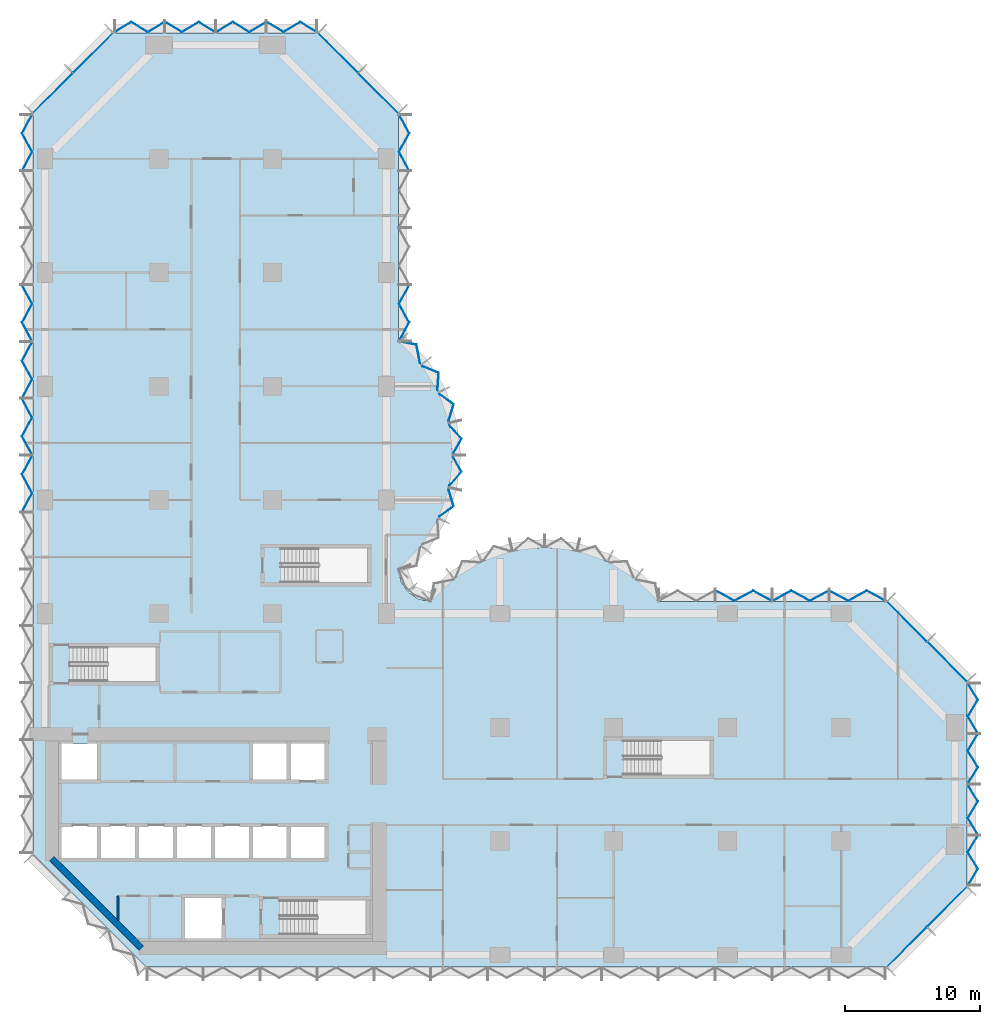
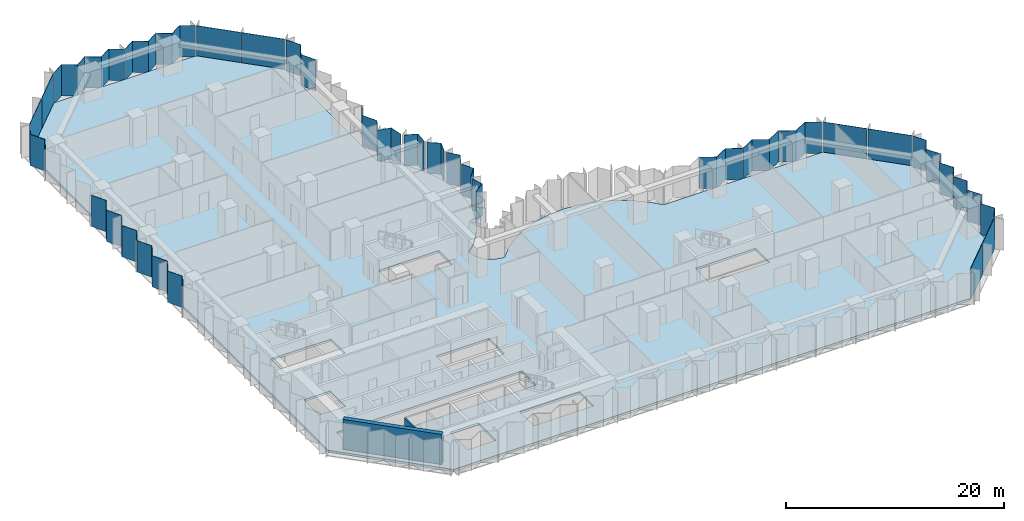
# One storey, part 6 of 15: 32 plates, 2 walls, 1 slab, 10 elements without a shape of their own.
"""IFC4 building model written with IfcOpenShell, lengths in metres."""

from ifc_helpers import new_model, si_unit, direction, frame, frame_2d, origin, place, context, subcontext, project, spatial, polyline, rectangle, outline, extrude, material, layer, layer_set, type_object, element, aggregate, save


model = new_model("IFC4")

# Units and contexts
model_context = context("Model", 3, precision=1e-05, world=origin(), true_north=direction((0.0, 1.0)))
body_context = subcontext(model_context, "Body", "Model", "MODEL_VIEW")
ifc_project = project(units=[si_unit("LENGTHUNIT", "METRE"), si_unit("AREAUNIT", "SQUARE_METRE"), si_unit("VOLUMEUNIT", "CUBIC_METRE"), si_unit("PLANEANGLEUNIT", "RADIAN"), si_unit("MASSUNIT", "GRAM", prefix="KILO")], contexts=[model_context])

# Site, building, storey
site_placement = place(None, origin())
site = spatial("IfcSite", under=ifc_project, at=site_placement, CompositionType="ELEMENT")
building_placement = place(site_placement, origin())
building = spatial("IfcBuilding", under=site, at=building_placement, Name="Brevane Broadcast Tower", CompositionType="ELEMENT")
storey_placement = place(building_placement, frame((0.0, 0.0, 47.300048828125)))
storey = spatial("IfcBuildingStorey", under=building, at=storey_placement, Name="L09", CompositionType="ELEMENT", Elevation=47.300048828125)

# Curtain wall, plates
ifc_material_1 = material(Name="Aluminium 6063-T6 bronze anodised", Category="aluminium")
curtain_wall_type = type_object("IfcCurtainWallType", Name="CW-1 curtain wall", PredefinedType="NOTDEFINED", material=ifc_material_1)
curtain_wall_1_placement = place(storey_placement, origin())
curtain_wall_1 = element("IfcCurtainWall", 1, at=curtain_wall_1_placement, inside=storey, type_object=curtain_wall_type, Name="CW-1 typical tilted unit L09 south-east chamfer", PredefinedType="NOTDEFINED")
ifc_material_2 = material(Name="Laminated glass bronze-tinted", Category="glass")
ifc_layer_1 = layer(ifc_material_2, 0.0400390625)
ifc_layer_set_1 = layer_set([ifc_layer_1], Name="CW tall glass panel 40")
plate_type = type_object("IfcPlateType", Name="CW tall glass panel 40", PredefinedType="CURTAIN_PANEL", material=ifc_layer_set_1)
plate_1_placement = place(storey_placement, frame((0.0, 0.0, -0.150146484375)))
plate_1 = element("IfcPlate", 2, at=plate_1_placement, type_object=plate_type, Name="CW-1 glass panel", PredefinedType="CURTAIN_PANEL", context=body_context, shape_type="SweptSolid", body=[
    extrude(outline(polyline([(62.14599609375, -0.896484375), (65.096435546875, 2.053955078125), (65.124755859375, 2.02587890625), (62.17431640625, -0.9248046875), (62.14599609375, -0.896484375)])), origin(), (0.0, 0.0, 1.0), 3.5),
])
plate_2_placement = place(storey_placement, frame((0.0, 0.0, -0.150146484375)))
plate_2 = element("IfcPlate", 3, at=plate_2_placement, type_object=plate_type, Name="CW-1 glass panel", PredefinedType="CURTAIN_PANEL", context=body_context, shape_type="SweptSolid", body=[
    extrude(outline(polyline([(65.14599609375, 2.103515625), (68.096435546875, 5.053955078125), (68.124755859375, 5.02587890625), (65.17431640625, 2.0751953125), (65.14599609375, 2.103515625)])), origin(), (0.0, 0.0, 1.0), 3.5),
])
aggregate(curtain_wall_1, [plate_1, plate_2])

curtain_wall_2_placement = place(storey_placement, origin())
curtain_wall_2 = element("IfcCurtainWall", 4, at=curtain_wall_2_placement, inside=storey, type_object=curtain_wall_type, Name="CW-1 typical tilted unit L09 east end", PredefinedType="NOTDEFINED")
plate_3_placement = place(storey_placement, frame((0.0, 0.0, -0.150146484375)))
plate_3 = element("IfcPlate", 5, at=plate_3_placement, type_object=plate_type, Name="CW-1 glass panel", PredefinedType="CURTAIN_PANEL", context=body_context, shape_type="SweptSolid", body=[
    extrude(outline(polyline([(68.126708984375, 5.135009765625), (68.17333984375, 5.135009765625), (68.917724609375, 6.36181640625), (68.17333984375, 7.58837890625), (68.917724609375, 8.81494140625), (68.87109375, 8.81494140625), (68.126708984375, 7.58837890625), (68.87109375, 6.36181640625), (68.126708984375, 5.135009765625)])), origin(), (0.0, 0.0, 1.0), 3.5),
])
plate_4_placement = place(storey_placement, frame((0.0, 0.0, -0.150146484375)))
plate_4 = element("IfcPlate", 6, at=plate_4_placement, type_object=plate_type, Name="CW-1 glass panel", PredefinedType="CURTAIN_PANEL", context=body_context, shape_type="SweptSolid", body=[
    extrude(outline(polyline([(68.87109375, 8.885009765625), (68.917724609375, 8.885009765625), (68.17333984375, 10.11181640625), (68.917724609375, 11.33837890625), (68.17333984375, 12.56494140625), (68.126708984375, 12.56494140625), (68.87109375, 11.33837890625), (68.126708984375, 10.11181640625), (68.87109375, 8.885009765625)])), origin(), (0.0, 0.0, 1.0), 3.5),
])
plate_5_placement = place(storey_placement, frame((0.0, 0.0, -0.150146484375)))
plate_5 = element("IfcPlate", 7, at=plate_5_placement, type_object=plate_type, Name="CW-1 glass panel", PredefinedType="CURTAIN_PANEL", context=body_context, shape_type="SweptSolid", body=[
    extrude(outline(polyline([(68.126708984375, 12.635009765625), (68.17333984375, 12.635009765625), (68.917724609375, 13.86181640625), (68.17333984375, 15.08837890625), (68.917724609375, 16.31494140625), (68.87109375, 16.31494140625), (68.126708984375, 15.08837890625), (68.87109375, 13.86181640625), (68.126708984375, 12.635009765625)])), origin(), (0.0, 0.0, 1.0), 3.5),
])
plate_6_placement = place(storey_placement, frame((0.0, 0.0, -0.150146484375)))
plate_6 = element("IfcPlate", 8, at=plate_6_placement, type_object=plate_type, Name="CW-1 glass panel", PredefinedType="CURTAIN_PANEL", context=body_context, shape_type="SweptSolid", body=[
    extrude(outline(polyline([(68.87109375, 16.385009765625), (68.917724609375, 16.385009765625), (68.17333984375, 17.61181640625), (68.917724609375, 18.83837890625), (68.17333984375, 20.06494140625), (68.126708984375, 20.06494140625), (68.87109375, 18.83837890625), (68.126708984375, 17.61181640625), (68.87109375, 16.385009765625)])), origin(), (0.0, 0.0, 1.0), 3.5),
])
aggregate(curtain_wall_2, [plate_3, plate_4, plate_5, plate_6])

curtain_wall_3_placement = place(storey_placement, origin())
curtain_wall_3 = element("IfcCurtainWall", 9, at=curtain_wall_3_placement, inside=storey, type_object=curtain_wall_type, Name="CW-1 typical tilted unit L09 north-east chamfer", PredefinedType="NOTDEFINED")
plate_7_placement = place(storey_placement, frame((0.0, 0.0, -0.150146484375)))
plate_7 = element("IfcPlate", 10, at=plate_7_placement, type_object=plate_type, Name="CW-1 glass panel", PredefinedType="CURTAIN_PANEL", context=body_context, shape_type="SweptSolid", body=[
    extrude(outline(polyline([(68.096435546875, 20.14599609375), (65.14599609375, 23.096435546875), (65.17431640625, 23.124755859375), (68.124755859375, 20.17431640625), (68.096435546875, 20.14599609375)])), origin(), (0.0, 0.0, 1.0), 3.5),
])
plate_8_placement = place(storey_placement, frame((0.0, 0.0, -0.150146484375)))
plate_8 = element("IfcPlate", 11, at=plate_8_placement, type_object=plate_type, Name="CW-1 glass panel", PredefinedType="CURTAIN_PANEL", context=body_context, shape_type="SweptSolid", body=[
    extrude(outline(polyline([(65.096435546875, 23.14599609375), (62.14599609375, 26.096435546875), (62.17431640625, 26.124755859375), (65.124755859375, 23.17431640625), (65.096435546875, 23.14599609375)])), origin(), (0.0, 0.0, 1.0), 3.5),
])
aggregate(curtain_wall_3, [plate_7, plate_8])

curtain_wall_4_placement = place(storey_placement, origin())
curtain_wall_4 = element("IfcCurtainWall", 12, at=curtain_wall_4_placement, inside=storey, type_object=curtain_wall_type, Name="CW-1 typical tilted unit L09 east arm north face", PredefinedType="NOTDEFINED")
plate_9_placement = place(storey_placement, frame((0.0, 0.0, -0.150146484375)))
plate_9 = element("IfcPlate", 13, at=plate_9_placement, type_object=plate_type, Name="CW-1 glass panel", PredefinedType="CURTAIN_PANEL", context=body_context, shape_type="SweptSolid", body=[
    extrude(outline(polyline([(62.06494140625, 26.127197265625), (62.06494140625, 26.172607421875), (60.688232421875, 26.9169921875), (59.311767578125, 26.172607421875), (57.93505859375, 26.9169921875), (57.93505859375, 26.87158203125), (59.311767578125, 26.127197265625), (60.688232421875, 26.87158203125), (62.06494140625, 26.127197265625)])), origin(), (0.0, 0.0, 1.0), 3.5),
])
plate_10_placement = place(storey_placement, frame((0.0, 0.0, -0.150146484375)))
plate_10 = element("IfcPlate", 14, at=plate_10_placement, type_object=plate_type, Name="CW-1 glass panel", PredefinedType="CURTAIN_PANEL", context=body_context, shape_type="SweptSolid", body=[
    extrude(outline(polyline([(57.864990234375, 26.87158203125), (57.864990234375, 26.9169921875), (56.48828125, 26.172607421875), (55.11181640625, 26.9169921875), (53.735107421875, 26.172607421875), (53.735107421875, 26.127197265625), (55.11181640625, 26.87158203125), (56.48828125, 26.127197265625), (57.864990234375, 26.87158203125)])), origin(), (0.0, 0.0, 1.0), 3.5),
])
plate_11_placement = place(storey_placement, frame((0.0, 0.0, -0.150146484375)))
plate_11 = element("IfcPlate", 15, at=plate_11_placement, type_object=plate_type, Name="CW-1 glass panel", PredefinedType="CURTAIN_PANEL", context=body_context, shape_type="SweptSolid", body=[
    extrude(outline(polyline([(53.6650390625, 26.127197265625), (53.6650390625, 26.172607421875), (52.288330078125, 26.9169921875), (50.91162109375, 26.172607421875), (49.534912109375, 26.9169921875), (49.534912109375, 26.87158203125), (50.91162109375, 26.127197265625), (52.288330078125, 26.87158203125), (53.6650390625, 26.127197265625)])), origin(), (0.0, 0.0, 1.0), 3.5),
])
aggregate(curtain_wall_4, [plate_9, plate_10, plate_11])

curtain_wall_5_placement = place(storey_placement, origin())
curtain_wall_5 = element("IfcCurtainWall", 16, at=curtain_wall_5_placement, inside=storey, type_object=curtain_wall_type, Name="CW-1 typical tilted unit L09 north bow", PredefinedType="NOTDEFINED")
plate_12_placement = place(storey_placement, frame((0.0, 0.0, -0.150146484375)))
plate_12 = element("IfcPlate", 17, at=plate_12_placement, type_object=plate_type, Name="CW-1 glass panel", PredefinedType="CURTAIN_PANEL", context=body_context, shape_type="SweptSolid", body=[
    extrude(outline(polyline([(29.104248046875, 32.400634765625), (29.1455078125, 32.381103515625), (30.20166015625, 33.132080078125), (29.83349609375, 34.349365234375), (29.78857421875, 34.359619140625), (30.155029296875, 33.148193359375), (29.104248046875, 32.400634765625)])), origin(), (0.0, 0.0, 1.0), 3.5),
])
plate_13_placement = place(storey_placement, frame((0.0, 0.0, -0.150146484375)))
plate_13 = element("IfcPlate", 18, at=plate_13_placement, type_object=plate_type, Name="CW-1 glass panel", PredefinedType="CURTAIN_PANEL", context=body_context, shape_type="SweptSolid", body=[
    extrude(outline(polyline([(29.859619140625, 34.6748046875), (29.903564453125, 34.664794921875), (30.779296875, 35.68310546875), (30.15869140625, 36.7919921875), (30.11279296875, 36.7919921875), (30.730712890625, 35.68798828125), (29.859619140625, 34.6748046875)])), origin(), (0.0, 0.0, 1.0), 3.5),
])
plate_14_placement = place(storey_placement, frame((0.0, 0.0, -0.150146484375)))
plate_14 = element("IfcPlate", 19, at=plate_14_placement, type_object=plate_type, Name="CW-1 glass panel", PredefinedType="CURTAIN_PANEL", context=body_context, shape_type="SweptSolid", body=[
    extrude(outline(polyline([(30.11279296875, 37.008056640625), (30.15869140625, 37.008056640625), (30.779296875, 38.116943359375), (29.903564453125, 39.13525390625), (29.859619140625, 39.125), (30.730712890625, 38.112060546875), (30.11279296875, 37.008056640625)])), origin(), (0.0, 0.0, 1.0), 3.5),
])
plate_15_placement = place(storey_placement, frame((0.0, 0.0, -0.150146484375)))
plate_15 = element("IfcPlate", 20, at=plate_15_placement, type_object=plate_type, Name="CW-1 glass panel", PredefinedType="CURTAIN_PANEL", context=body_context, shape_type="SweptSolid", body=[
    extrude(outline(polyline([(29.78857421875, 39.440185546875), (29.83349609375, 39.45068359375), (30.20166015625, 40.667724609375), (29.1455078125, 41.4189453125), (29.104248046875, 41.3994140625), (30.155029296875, 40.65185546875), (29.78857421875, 39.440185546875)])), origin(), (0.0, 0.0, 1.0), 3.5),
])
plate_16_placement = place(storey_placement, frame((0.0, 0.0, -0.150146484375)))
plate_16 = element("IfcPlate", 21, at=plate_16_placement, type_object=plate_type, Name="CW-1 glass panel", PredefinedType="CURTAIN_PANEL", context=body_context, shape_type="SweptSolid", body=[
    extrude(outline(polyline([(28.96533203125, 41.69091796875), (29.006591796875, 41.710693359375), (29.089111328125, 43.00390625), (27.912109375, 43.4853515625), (27.8759765625, 43.45703125), (29.04736328125, 42.977783203125), (28.96533203125, 41.69091796875)])), origin(), (0.0, 0.0, 1.0), 3.5),
])
plate_17_placement = place(storey_placement, frame((0.0, 0.0, -0.150146484375)))
plate_17 = element("IfcPlate", 22, at=plate_17_placement, type_object=plate_type, Name="CW-1 glass panel", PredefinedType="CURTAIN_PANEL", context=body_context, shape_type="SweptSolid", body=[
    extrude(outline(polyline([(27.67626953125, 43.7109375), (27.71142578125, 43.738525390625), (27.447265625, 45.086181640625), (26.17919921875, 45.327880859375), (26.14404296875, 45.2939453125), (27.4130859375, 45.052001953125), (27.67626953125, 43.7109375)])), origin(), (0.0, 0.0, 1.0), 3.5),
])
aggregate(curtain_wall_5, [plate_12, plate_13, plate_14, plate_15, plate_16, plate_17])

curtain_wall_6_placement = place(storey_placement, origin())
curtain_wall_6 = element("IfcCurtainWall", 23, at=curtain_wall_6_placement, inside=storey, type_object=curtain_wall_type, Name="CW-1 typical tilted unit L09 north arm east face", PredefinedType="NOTDEFINED")
plate_18_placement = place(storey_placement, frame((0.0, 0.0, -0.150146484375)))
plate_18 = element("IfcPlate", 24, at=plate_18_placement, type_object=plate_type, Name="CW-1 glass panel", PredefinedType="CURTAIN_PANEL", context=body_context, shape_type="SweptSolid", body=[
    extrude(outline(polyline([(26.127197265625, 45.3349609375), (26.172607421875, 45.3349609375), (26.9169921875, 46.711669921875), (26.172607421875, 48.08837890625), (26.9169921875, 49.465087890625), (26.87158203125, 49.465087890625), (26.127197265625, 48.08837890625), (26.87158203125, 46.711669921875), (26.127197265625, 45.3349609375)])), origin(), (0.0, 0.0, 1.0), 3.5),
])
plate_19_placement = place(storey_placement, frame((0.0, 0.0, -0.150146484375)))
plate_19 = element("IfcPlate", 25, at=plate_19_placement, type_object=plate_type, Name="CW-1 glass panel", PredefinedType="CURTAIN_PANEL", context=body_context, shape_type="SweptSolid", body=[
    extrude(outline(polyline([(26.87158203125, 57.93505859375), (26.9169921875, 57.93505859375), (26.172607421875, 59.311767578125), (26.9169921875, 60.688232421875), (26.172607421875, 62.06494140625), (26.127197265625, 62.06494140625), (26.87158203125, 60.688232421875), (26.127197265625, 59.311767578125), (26.87158203125, 57.93505859375)])), origin(), (0.0, 0.0, 1.0), 3.5),
])
aggregate(curtain_wall_6, [plate_18, plate_19])

curtain_wall_7_placement = place(storey_placement, origin())
curtain_wall_7 = element("IfcCurtainWall", 26, at=curtain_wall_7_placement, inside=storey, type_object=curtain_wall_type, Name="CW-1 typical tilted unit L09 north arm north-east chamfer", PredefinedType="NOTDEFINED")
plate_20_placement = place(storey_placement, frame((0.0, 0.0, -0.150146484375)))
plate_20 = element("IfcPlate", 27, at=plate_20_placement, type_object=plate_type, Name="CW-1 glass panel", PredefinedType="CURTAIN_PANEL", context=body_context, shape_type="SweptSolid", body=[
    extrude(outline(polyline([(26.096435546875, 62.14599609375), (23.14599609375, 65.096435546875), (23.17431640625, 65.124755859375), (26.124755859375, 62.17431640625), (26.096435546875, 62.14599609375)])), origin(), (0.0, 0.0, 1.0), 3.5),
])
plate_21_placement = place(storey_placement, frame((0.0, 0.0, -0.150146484375)))
plate_21 = element("IfcPlate", 28, at=plate_21_placement, type_object=plate_type, Name="CW-1 glass panel", PredefinedType="CURTAIN_PANEL", context=body_context, shape_type="SweptSolid", body=[
    extrude(outline(polyline([(23.096435546875, 65.14599609375), (20.14599609375, 68.096435546875), (20.17431640625, 68.124755859375), (23.124755859375, 65.17431640625), (23.096435546875, 65.14599609375)])), origin(), (0.0, 0.0, 1.0), 3.5),
])
aggregate(curtain_wall_7, [plate_20, plate_21])

curtain_wall_8_placement = place(storey_placement, origin())
curtain_wall_8 = element("IfcCurtainWall", 29, at=curtain_wall_8_placement, inside=storey, type_object=curtain_wall_type, Name="CW-1 typical tilted unit L09 north end", PredefinedType="NOTDEFINED")
plate_22_placement = place(storey_placement, frame((0.0, 0.0, -0.150146484375)))
plate_22 = element("IfcPlate", 30, at=plate_22_placement, type_object=plate_type, Name="CW-1 glass panel", PredefinedType="CURTAIN_PANEL", context=body_context, shape_type="SweptSolid", body=[
    extrude(outline(polyline([(20.06494140625, 68.126708984375), (20.06494140625, 68.17333984375), (18.83837890625, 68.917724609375), (17.61181640625, 68.17333984375), (16.385009765625, 68.917724609375), (16.385009765625, 68.87109375), (17.61181640625, 68.126708984375), (18.83837890625, 68.87109375), (20.06494140625, 68.126708984375)])), origin(), (0.0, 0.0, 1.0), 3.5),
])
plate_23_placement = place(storey_placement, frame((0.0, 0.0, -0.150146484375)))
plate_23 = element("IfcPlate", 31, at=plate_23_placement, type_object=plate_type, Name="CW-1 glass panel", PredefinedType="CURTAIN_PANEL", context=body_context, shape_type="SweptSolid", body=[
    extrude(outline(polyline([(16.31494140625, 68.87109375), (16.31494140625, 68.917724609375), (15.08837890625, 68.17333984375), (13.86181640625, 68.917724609375), (12.635009765625, 68.17333984375), (12.635009765625, 68.126708984375), (13.86181640625, 68.87109375), (15.08837890625, 68.126708984375), (16.31494140625, 68.87109375)])), origin(), (0.0, 0.0, 1.0), 3.5),
])
plate_24_placement = place(storey_placement, frame((0.0, 0.0, -0.150146484375)))
plate_24 = element("IfcPlate", 32, at=plate_24_placement, type_object=plate_type, Name="CW-1 glass panel", PredefinedType="CURTAIN_PANEL", context=body_context, shape_type="SweptSolid", body=[
    extrude(outline(polyline([(12.56494140625, 68.126708984375), (12.56494140625, 68.17333984375), (11.33837890625, 68.917724609375), (10.11181640625, 68.17333984375), (8.885009765625, 68.917724609375), (8.885009765625, 68.87109375), (10.11181640625, 68.126708984375), (11.33837890625, 68.87109375), (12.56494140625, 68.126708984375)])), origin(), (0.0, 0.0, 1.0), 3.5),
])
plate_25_placement = place(storey_placement, frame((0.0, 0.0, -0.150146484375)))
plate_25 = element("IfcPlate", 33, at=plate_25_placement, type_object=plate_type, Name="CW-1 glass panel", PredefinedType="CURTAIN_PANEL", context=body_context, shape_type="SweptSolid", body=[
    extrude(outline(polyline([(8.81494140625, 68.87109375), (8.81494140625, 68.917724609375), (7.58837890625, 68.17333984375), (6.36181640625, 68.917724609375), (5.135009765625, 68.17333984375), (5.135009765625, 68.126708984375), (6.36181640625, 68.87109375), (7.58837890625, 68.126708984375), (8.81494140625, 68.87109375)])), origin(), (0.0, 0.0, 1.0), 3.5),
])
aggregate(curtain_wall_8, [plate_22, plate_23, plate_24, plate_25])

curtain_wall_9_placement = place(storey_placement, origin())
curtain_wall_9 = element("IfcCurtainWall", 34, at=curtain_wall_9_placement, inside=storey, type_object=curtain_wall_type, Name="CW-1 typical tilted unit L09 north-west chamfer", PredefinedType="NOTDEFINED")
plate_26_placement = place(storey_placement, frame((0.0, 0.0, -0.150146484375)))
plate_26 = element("IfcPlate", 35, at=plate_26_placement, type_object=plate_type, Name="CW-1 glass panel", PredefinedType="CURTAIN_PANEL", context=body_context, shape_type="SweptSolid", body=[
    extrude(outline(polyline([(5.053955078125, 68.096435546875), (2.103515625, 65.14599609375), (2.0751953125, 65.17431640625), (5.02587890625, 68.124755859375), (5.053955078125, 68.096435546875)])), origin(), (0.0, 0.0, 1.0), 3.5),
])
plate_27_placement = place(storey_placement, frame((0.0, 0.0, -0.150146484375)))
plate_27 = element("IfcPlate", 36, at=plate_27_placement, type_object=plate_type, Name="CW-1 glass panel", PredefinedType="CURTAIN_PANEL", context=body_context, shape_type="SweptSolid", body=[
    extrude(outline(polyline([(2.053955078125, 65.096435546875), (-0.896484375, 62.14599609375), (-0.9248046875, 62.17431640625), (2.02587890625, 65.124755859375), (2.053955078125, 65.096435546875)])), origin(), (0.0, 0.0, 1.0), 3.5),
])
aggregate(curtain_wall_9, [plate_26, plate_27])

curtain_wall_10_placement = place(storey_placement, origin())
curtain_wall_10 = element("IfcCurtainWall", 37, at=curtain_wall_10_placement, inside=storey, type_object=curtain_wall_type, Name="CW-1 typical tilted unit L09 west face", PredefinedType="NOTDEFINED")
plate_28_placement = place(storey_placement, frame((0.0, 0.0, -0.150146484375)))
plate_28 = element("IfcPlate", 38, at=plate_28_placement, type_object=plate_type, Name="CW-1 glass panel", PredefinedType="CURTAIN_PANEL", context=body_context, shape_type="SweptSolid", body=[
    extrude(outline(polyline([(-0.92724609375, 62.06494140625), (-0.97265625, 62.06494140625), (-1.717041015625, 60.688232421875), (-0.97265625, 59.311767578125), (-1.717041015625, 57.93505859375), (-1.671630859375, 57.93505859375), (-0.92724609375, 59.311767578125), (-1.671630859375, 60.688232421875), (-0.92724609375, 62.06494140625)])), origin(), (0.0, 0.0, 1.0), 3.5),
])
plate_29_placement = place(storey_placement, frame((0.0, 0.0, -0.150146484375)))
plate_29 = element("IfcPlate", 39, at=plate_29_placement, type_object=plate_type, Name="CW-1 glass panel", PredefinedType="CURTAIN_PANEL", context=body_context, shape_type="SweptSolid", body=[
    extrude(outline(polyline([(-1.671630859375, 49.465087890625), (-1.717041015625, 49.465087890625), (-0.97265625, 48.08837890625), (-1.717041015625, 46.711669921875), (-0.97265625, 45.3349609375), (-0.92724609375, 45.3349609375), (-1.671630859375, 46.711669921875), (-0.92724609375, 48.08837890625), (-1.671630859375, 49.465087890625)])), origin(), (0.0, 0.0, 1.0), 3.5),
])
plate_30_placement = place(storey_placement, frame((0.0, 0.0, -0.150146484375)))
plate_30 = element("IfcPlate", 40, at=plate_30_placement, type_object=plate_type, Name="CW-1 glass panel", PredefinedType="CURTAIN_PANEL", context=body_context, shape_type="SweptSolid", body=[
    extrude(outline(polyline([(-0.92724609375, 45.264892578125), (-0.97265625, 45.264892578125), (-1.717041015625, 43.88818359375), (-0.97265625, 42.51171875), (-1.717041015625, 41.135009765625), (-1.671630859375, 41.135009765625), (-0.92724609375, 42.51171875), (-1.671630859375, 43.88818359375), (-0.92724609375, 45.264892578125)])), origin(), (0.0, 0.0, 1.0), 3.5),
])
plate_31_placement = place(storey_placement, frame((0.0, 0.0, -0.150146484375)))
plate_31 = element("IfcPlate", 41, at=plate_31_placement, type_object=plate_type, Name="CW-1 glass panel", PredefinedType="CURTAIN_PANEL", context=body_context, shape_type="SweptSolid", body=[
    extrude(outline(polyline([(-1.671630859375, 41.06494140625), (-1.717041015625, 41.06494140625), (-0.97265625, 39.688232421875), (-1.717041015625, 38.311767578125), (-0.97265625, 36.93505859375), (-0.92724609375, 36.93505859375), (-1.671630859375, 38.311767578125), (-0.92724609375, 39.688232421875), (-1.671630859375, 41.06494140625)])), origin(), (0.0, 0.0, 1.0), 3.5),
])
plate_32_placement = place(storey_placement, frame((0.0, 0.0, -0.150146484375)))
plate_32 = element("IfcPlate", 42, at=plate_32_placement, type_object=plate_type, Name="CW-1 glass panel", PredefinedType="CURTAIN_PANEL", context=body_context, shape_type="SweptSolid", body=[
    extrude(outline(polyline([(-0.92724609375, 36.864990234375), (-0.97265625, 36.864990234375), (-1.717041015625, 35.48828125), (-0.97265625, 34.11181640625), (-1.717041015625, 32.735107421875), (-1.671630859375, 32.735107421875), (-0.92724609375, 34.11181640625), (-1.671630859375, 35.48828125), (-0.92724609375, 36.864990234375)])), origin(), (0.0, 0.0, 1.0), 3.5),
])
aggregate(curtain_wall_10, [plate_28, plate_29, plate_30, plate_31, plate_32])

# Slab
ifc_material_3 = material(Name="Concrete C40/50", Category="concrete")
ifc_layer_2 = layer(ifc_material_3, 0.25)
ifc_layer_set_2 = layer_set([ifc_layer_2], Name="RC FLOOR SLAB 250 C40/50")
slab_type = type_object("IfcSlabType", Name="RC FLOOR SLAB 250 C40/50", PredefinedType="FLOOR", material=ifc_layer_set_2)
slab_placement = place(storey_placement, frame((0.0, 0.0, -0.25)))
element("IfcSlab", 43, at=slab_placement, inside=storey, type_object=slab_type, Name="SL250 L09", PredefinedType="FLOOR", context=body_context, shape_type="SweptSolid", body=[
    extrude(outline(polyline([(-0.89990234375, 7.5), (-0.89990234375, 62.10009765625), (5.10009765625, 68.10009765625), (20.10009765625, 68.10009765625), (26.10009765625, 62.10009765625), (26.10009765625, 45.300048828125), (27.10888671875, 44.36865234375), (27.99169921875, 43.317138671875), (28.734130859375, 42.162353515625), (29.324462890625, 40.922607421875), (29.7529296875, 39.618408203125), (30.012939453125, 38.270263671875), (30.10009765625, 36.89990234375), (30.012939453125, 35.52978515625), (29.7529296875, 34.181640625), (29.324462890625, 32.877197265625), (28.734130859375, 31.6376953125), (27.99169921875, 30.48291015625), (27.10888671875, 29.431396484375), (26.10009765625, 28.5), (26.28271484375, 27.58154296875), (26.802978515625, 26.802978515625), (27.58154296875, 26.28271484375), (28.5, 26.10009765625), (29.431396484375, 27.10888671875), (30.48291015625, 27.99169921875), (31.6376953125, 28.734130859375), (32.877197265625, 29.324462890625), (34.181640625, 29.7529296875), (35.52978515625, 30.012939453125), (36.89990234375, 30.10009765625), (38.270263671875, 30.012939453125), (39.618408203125, 29.7529296875), (40.922607421875, 29.324462890625), (42.162353515625, 28.734130859375), (43.317138671875, 27.99169921875), (44.36865234375, 27.10888671875), (45.300048828125, 26.10009765625), (62.10009765625, 26.10009765625), (68.10009765625, 20.10009765625), (68.10009765625, 5.10009765625), (62.10009765625, -0.89990234375), (7.5, -0.89990234375), (-0.89990234375, 7.5)]), holes=[polyline([(13.199951171875, 4.39990234375), (10.199951171875, 4.39990234375), (10.199951171875, 1.199951171875), (13.199951171875, 1.199951171875), (13.199951171875, 4.39990234375)]), polyline([(4.0, 9.60009765625), (1.199951171875, 9.60009765625), (1.199951171875, 7.0), (4.0, 7.0), (6.800048828125, 7.0), (9.60009765625, 7.0), (12.39990234375, 7.0), (15.199951171875, 7.0), (18.0, 7.0), (20.800048828125, 7.0), (20.800048828125, 9.60009765625), (18.0, 9.60009765625), (15.199951171875, 9.60009765625), (12.39990234375, 9.60009765625), (9.60009765625, 9.60009765625), (6.800048828125, 9.60009765625), (4.0, 9.60009765625)]), polyline([(4.0, 12.800048828125), (4.0, 15.60009765625), (1.199951171875, 15.60009765625), (1.199951171875, 12.800048828125), (4.0, 12.800048828125)]), polyline([(8.199951171875, 22.75), (1.860107421875, 22.75), (1.860107421875, 20.199951171875), (8.199951171875, 20.199951171875), (8.199951171875, 22.75)]), polyline([(23.699951171875, 4.050048828125), (17.360107421875, 4.050048828125), (17.360107421875, 1.5), (23.699951171875, 1.5), (23.699951171875, 4.050048828125)]), polyline([(18.0, 15.60009765625), (15.199951171875, 15.60009765625), (15.199951171875, 12.800048828125), (18.0, 12.800048828125), (20.800048828125, 12.800048828125), (20.800048828125, 15.60009765625), (18.0, 15.60009765625)]), polyline([(49.10009765625, 15.85009765625), (42.760009765625, 15.85009765625), (42.760009765625, 13.300048828125), (49.10009765625, 13.300048828125), (49.10009765625, 15.85009765625)]), polyline([(23.800048828125, 30.050048828125), (17.4599609375, 30.050048828125), (17.4599609375, 27.5), (23.800048828125, 27.5), (23.800048828125, 30.050048828125)])]), origin(), (0.0, 0.0, 1.0), 0.25),
])

# Walls
ifc_material_4 = material(Name="Gypsum board on steel studs", Category="steel")
ifc_layer_3 = layer(ifc_material_4, 0.14990234375)
ifc_layer_set_3 = layer_set([ifc_layer_3], Name="Core fire partition 150 mm")
wall_type_1 = type_object("IfcWallType", Name="Core fire partition 150 mm", PredefinedType="PARTITIONING", material=ifc_layer_set_3)
wall_1_placement = place(storey_placement, frame((5.39990234375, 2.553466796875, 0.0), z_axis=(0.0, 0.0, 1.0), x_axis=(0.0, 1.0, 0.0)))
element("IfcWall", 44, at=wall_1_placement, inside=storey, type_object=wall_type_1, Name="L09 partition wall P10", PredefinedType="PARTITIONING", context=body_context, shape_type="SweptSolid", body=[
    extrude(rectangle(XDim=1.796630859375, YDim=0.14990234375, at=frame_2d((0.8984375, 0.0))), origin(), (0.0, 0.0, 1.0), 3.349853515625),
])
ifc_material_5 = material(Name="Concrete C80/95", Category="concrete")
ifc_layer_4 = layer(ifc_material_5, 0.449951171875)
ifc_layer_set_4 = layer_set([ifc_layer_4], Name="Core wall 450 mm C80/95")
wall_type_2 = type_object("IfcWallType", Name="Core wall 450 mm C80/95", PredefinedType="SHEAR", material=ifc_layer_set_4)
wall_2_placement = place(storey_placement, frame((0.5, 7.1181640625, 0.0), z_axis=(0.0, 0.0, 1.0), x_axis=(0.707106781187, -0.707106781187, 0.0)))
element("IfcWall", 45, at=wall_2_placement, inside=storey, type_object=wall_type_2, Name="L09 outer wall WC", PredefinedType="SHEAR", context=body_context, shape_type="SweptSolid", body=[
    extrude(rectangle(XDim=9.359619140625, YDim=0.449951171875, at=frame_2d((4.6796875, 0.0))), origin(), (0.0, 0.0, 1.0), 3.349853515625),
])

save(model, "model.ifc")
